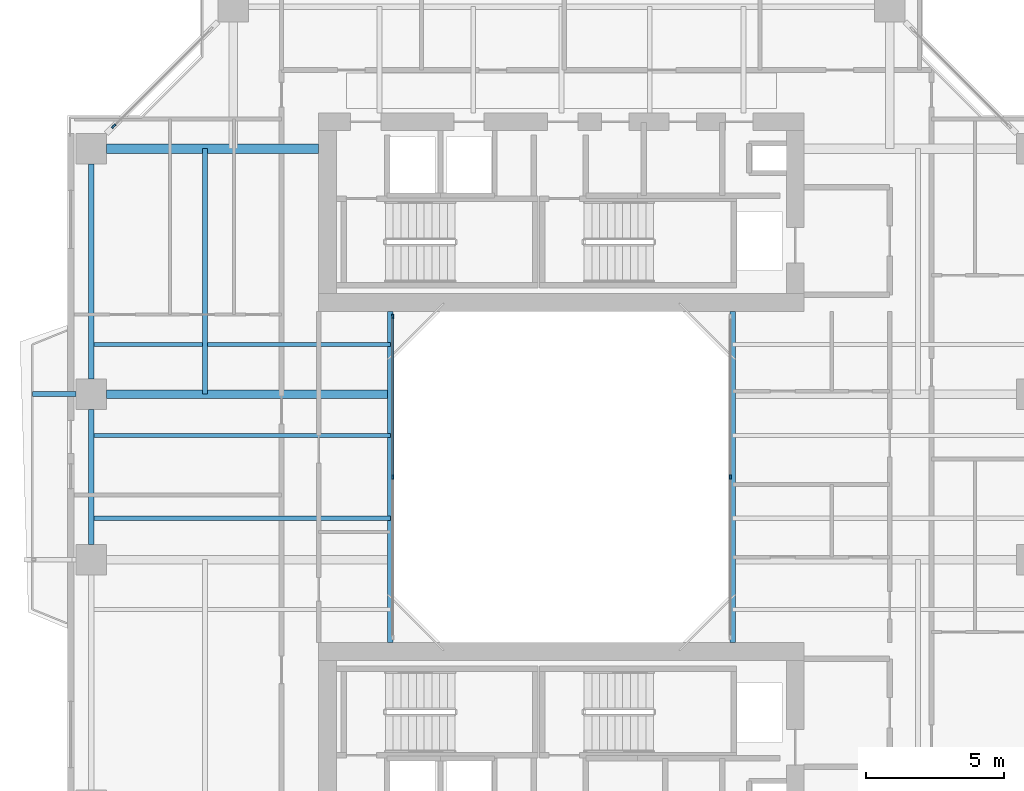
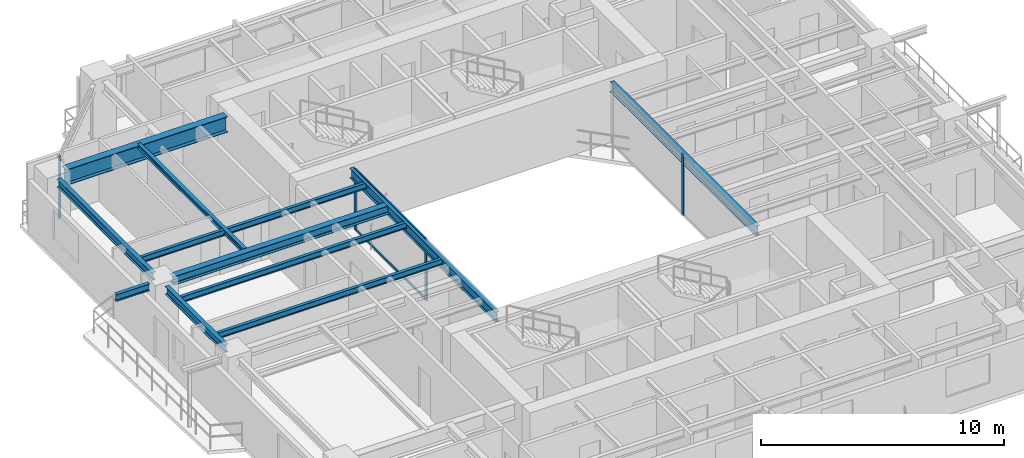
# One storey, part 5 of 17: 11 beams, 6 members, 3 elements without a shape of their own.
"""IFC4 building model written with IfcOpenShell, lengths in metres."""

from ifc_helpers import new_model, si_unit, direction, frame, origin, origin_2d, place, context, subcontext, project, spatial, rectangle, i_section, extrude, source, transform, mapped, material, layer, layer_set, material_profile, profile_set, type_object, element, aggregate, save


model = new_model("IFC4")

# Units and contexts
model_context = context("Model", 3, precision=1e-05, world=origin(), true_north=direction((0.0, 1.0)))
body_context = subcontext(model_context, "Body", "Model", "MODEL_VIEW")
ifc_project = project(units=[si_unit("LENGTHUNIT", "METRE"), si_unit("AREAUNIT", "SQUARE_METRE"), si_unit("VOLUMEUNIT", "CUBIC_METRE"), si_unit("PLANEANGLEUNIT", "RADIAN"), si_unit("MASSUNIT", "GRAM", prefix="KILO"), si_unit("THERMODYNAMICTEMPERATUREUNIT", "KELVIN"), si_unit("POWERUNIT", "WATT")], contexts=[model_context])

# Site, building, storey
site_placement = place(None, origin())
site = spatial("IfcSite", under=ifc_project, at=site_placement, CompositionType="ELEMENT")
building_placement = place(site_placement, origin())
building = spatial("IfcBuilding", under=site, at=building_placement, Name="Qiaomeng Ring Towers", CompositionType="ELEMENT")
storey_placement = place(building_placement, frame((0.0, 0.0, 119.75)))
storey = spatial("IfcBuildingStorey", under=building, at=storey_placement, Name="L34", CompositionType="ELEMENT", Elevation=119.75)

# Beams
ifc_material_1 = material(Name="Steel Q355B", Category="steel")
ifc_material_profile_1 = material_profile(ifc_material_1, i_section(OverallWidth=0.199951171875, OverallDepth=0.5, WebThickness=0.010009765625, FlangeThickness=0.01611328125, FilletRadius=0.02001953125, at=origin_2d()), Name="HN 500x200x10x16")
ifc_profile_set_1 = profile_set([ifc_material_profile_1], Name="Steel Q355B")
beam_type_1 = type_object("IfcBeamType", Name="STR-BM-HN500", PredefinedType="BEAM", material=ifc_profile_set_1)
shared_shape_1 = source(origin(), body_context, "Body", "SweptSolid", [
    extrude(i_section(OverallWidth=0.199951171875, OverallDepth=0.5, WebThickness=0.010009765625, FlangeThickness=0.01611328125, FilletRadius=0.02001953125, at=origin_2d()), origin(), (0.0, 0.0, 1.0), 12.0),
])
for number, where, z_axis, x_axis, name in (
    (1, (12.800048828125, 17.0, 2.820068359375), (0.0, 1.0, 0.0), (-1.0, 0.0, 0.0), "L34 beam STR-BM-L34-WELL-W"),
    (2, (25.199951171875, 17.0, 2.820068359375), (0.0, 1.0, 0.0), (-1.0, 0.0, 0.0), "L34 beam STR-BM-L34-WELL-E"),
):
    element("IfcBeam", number, at=place(storey_placement, frame(where, z_axis=z_axis, x_axis=x_axis)), inside=storey, type_object=beam_type_1, Name=name, PredefinedType="BEAM", context=body_context, shape_type="MappedRepresentation", body=[
        mapped(shared_shape_1, transform((0.0, 0.0, 0.0), x_axis=(1.0, 0.0, 0.0), y_axis=(0.0, 1.0, 0.0), z_axis=(0.0, 0.0, 1.0), scale=1.0)),
    ])
ifc_material_profile_2 = material_profile(ifc_material_1, i_section(OverallWidth=0.199951171875, OverallDepth=0.39990234375, WebThickness=0.008056640625, FlangeThickness=0.012939453125, FilletRadius=0.01611328125, at=origin_2d()), Name="HN 400x200x8x13")
ifc_profile_set_2 = profile_set([ifc_material_profile_2], Name="Steel Q355B")
beam_type_2 = type_object("IfcBeamType", Name="STR-BM-HN400", PredefinedType="SPANDREL", material=ifc_profile_set_2)
shared_shape_2 = source(origin(), body_context, "Body", "SweptSolid", [
    extrude(i_section(OverallWidth=0.199951171875, OverallDepth=0.39990234375, WebThickness=0.008056640625, FlangeThickness=0.012939453125, FilletRadius=0.01611328125, at=origin_2d()), origin(), (0.0, 0.0, 1.0), 7.802001953125),
])
beam_1_placement = place(storey_placement, frame((1.949951171875, 34.35107421875, 2.8701171875), z_axis=(0.0, -1.0, 0.0), x_axis=(1.0, 0.0, 0.0)))
element("IfcBeam", 3, at=beam_1_placement, inside=storey, type_object=beam_type_2, Name="L34 beam STR-SP-L34-T1-W4-W3", PredefinedType="SPANDREL", context=body_context, shape_type="MappedRepresentation", body=[
    mapped(shared_shape_2, transform((0.0, 0.0, 0.0), x_axis=(1.0, 0.0, 0.0), y_axis=(0.0, 1.0, 0.0), z_axis=(0.0, 0.0, 1.0), scale=1.0)),
])
shared_shape_3 = source(origin(), body_context, "Body", "SweptSolid", [
    extrude(i_section(OverallWidth=0.199951171875, OverallDepth=0.39990234375, WebThickness=0.008056640625, FlangeThickness=0.012939453125, FilletRadius=0.01611328125, at=origin_2d()), origin(), (0.0, 0.0, 1.0), 4.90185546875),
])
beam_2_placement = place(storey_placement, frame((1.949951171875, 25.450927734375, 2.8701171875), z_axis=(0.0, -1.0, 0.0), x_axis=(1.0, 0.0, 0.0)))
element("IfcBeam", 4, at=beam_2_placement, inside=storey, type_object=beam_type_2, Name="L34 beam STR-SP-L34-T1-W3-W2", PredefinedType="SPANDREL", context=body_context, shape_type="MappedRepresentation", body=[
    mapped(shared_shape_3, transform((0.0, 0.0, 0.0), x_axis=(1.0, 0.0, 0.0), y_axis=(0.0, 1.0, 0.0), z_axis=(0.0, 0.0, 1.0), scale=1.0)),
])
ifc_material_2 = material(Name="Steel Q390GJC", Category="steel")
ifc_material_profile_3 = material_profile(ifc_material_2, i_section(OverallWidth=0.35009765625, OverallDepth=0.800048828125, WebThickness=0.01611328125, FlangeThickness=0.028076171875, at=origin_2d()), Name="WH 800x350x16x28")
ifc_profile_set_3 = profile_set([ifc_material_profile_3], Name="Steel Q390GJC")
beam_type_3 = type_object("IfcBeamType", Name="STR-BM-WH800", PredefinedType="BEAM", material=ifc_profile_set_3)
shared_shape_4 = source(origin(), body_context, "Body", "SweptSolid", [
    extrude(i_section(OverallWidth=0.35009765625, OverallDepth=0.800048828125, WebThickness=0.01611328125, FlangeThickness=0.028076171875, at=origin_2d()), origin(), (0.0, 0.0, 1.0), 7.700927734375),
])
beam_3_placement = place(storey_placement, frame((2.4990234375, 34.89990234375, 2.669921875), z_axis=(1.0, 0.0, 0.0), x_axis=(0.0, 1.0, 0.0)))
element("IfcBeam", 5, at=beam_3_placement, inside=storey, type_object=beam_type_3, Name="L34 beam STR-BM-L34-T1-RAD-W4", PredefinedType="BEAM", context=body_context, shape_type="MappedRepresentation", body=[
    mapped(shared_shape_4, transform((0.0, 0.0, 0.0), x_axis=(1.0, 0.0, 0.0), y_axis=(0.0, 1.0, 0.0), z_axis=(0.0, 0.0, 1.0), scale=1.0)),
])
ifc_material_profile_4 = material_profile(ifc_material_1, i_section(OverallWidth=0.300048828125, OverallDepth=0.43994140625, WebThickness=0.010986328125, FlangeThickness=0.01806640625, FilletRadius=0.02392578125, at=origin_2d()), Name="HM 440x300x11x18")
ifc_profile_set_4 = profile_set([ifc_material_profile_4], Name="Steel Q355B")
beam_type_4 = type_object("IfcBeamType", Name="STR-BM-HM440", PredefinedType="BEAM", material=ifc_profile_set_4)
shared_shape_5 = source(origin(), body_context, "Body", "SweptSolid", [
    extrude(i_section(OverallWidth=0.300048828125, OverallDepth=0.43994140625, WebThickness=0.010986328125, FlangeThickness=0.01806640625, FilletRadius=0.02392578125, at=origin_2d()), origin(), (0.0, 0.0, 1.0), 10.301025390625),
])
beam_4_placement = place(storey_placement, frame((2.4990234375, 26.0, 2.85009765625), z_axis=(1.0, 0.0, 0.0), x_axis=(0.0, 1.0, 0.0)))
element("IfcBeam", 6, at=beam_4_placement, inside=storey, type_object=beam_type_4, Name="L34 beam STR-BM-L34-T1-RAD-W3", PredefinedType="BEAM", context=body_context, shape_type="MappedRepresentation", body=[
    mapped(shared_shape_5, transform((0.0, 0.0, 0.0), x_axis=(1.0, 0.0, 0.0), y_axis=(0.0, 1.0, 0.0), z_axis=(0.0, 0.0, 1.0), scale=1.0)),
])
ifc_material_profile_5 = material_profile(ifc_material_1, i_section(OverallWidth=0.175048828125, OverallDepth=0.35009765625, WebThickness=0.007080078125, FlangeThickness=0.010986328125, FilletRadius=0.013916015625, at=origin_2d()), Name="HN 350x175x7x11")
ifc_profile_set_5 = profile_set([ifc_material_profile_5], Name="Steel Q355B")
beam_type_5 = type_object("IfcBeamType", Name="STR-BM-HN350", PredefinedType="JOIST", material=ifc_profile_set_5)
shared_shape_6 = source(origin(), body_context, "Body", "SweptSolid", [
    extrude(i_section(OverallWidth=0.175048828125, OverallDepth=0.35009765625, WebThickness=0.007080078125, FlangeThickness=0.010986328125, FilletRadius=0.013916015625, at=origin_2d()), origin(), (0.0, 0.0, 1.0), 1.580810546875),
])
beam_5_placement = place(storey_placement, frame((-0.179931640625, 26.0, 2.89501953125), z_axis=(1.0, 0.0, 0.0), x_axis=(0.0, 1.0, 0.0)))
element("IfcBeam", 7, at=beam_5_placement, inside=storey, type_object=beam_type_5, Name="L34 beam STR-BALBM-L34-W3", PredefinedType="JOIST", context=body_context, shape_type="MappedRepresentation", body=[
    mapped(shared_shape_6, transform((0.0, 0.0, 0.0), x_axis=(1.0, 0.0, 0.0), y_axis=(0.0, 1.0, 0.0), z_axis=(0.0, 0.0, 1.0), scale=1.0)),
])
ifc_material_profile_6 = material_profile(ifc_material_1, i_section(OverallWidth=0.14990234375, OverallDepth=0.300048828125, WebThickness=0.006591796875, FlangeThickness=0.009033203125, FilletRadius=0.012939453125, at=origin_2d()), Name="HN 300x150x6.5x9")
ifc_profile_set_6 = profile_set([ifc_material_profile_6], Name="Steel Q355B")
beam_type_6 = type_object("IfcBeamType", Name="STR-BM-HN300", PredefinedType="JOIST", material=ifc_profile_set_6)
shared_shape_7 = source(origin(), body_context, "Body", "SweptSolid", [
    extrude(i_section(OverallWidth=0.14990234375, OverallDepth=0.300048828125, WebThickness=0.006591796875, FlangeThickness=0.009033203125, FilletRadius=0.012939453125, at=origin_2d()), origin(), (0.0, 0.0, 1.0), 10.85009765625),
])
for number, where, z_axis, x_axis, name in (
    (8, (1.949951171875, 21.5, 2.919921875), (1.0, 0.0, 0.0), (0.0, 1.0, 0.0), "L34 beam STR-JST-L34-T1W-2"),
    (9, (1.949951171875, 24.5, 2.919921875), (1.0, 0.0, 0.0), (0.0, 1.0, 0.0), "L34 beam STR-JST-L34-T1W-3"),
    (10, (1.949951171875, 27.800048828125, 2.919921875), (1.0, 0.0, 0.0), (0.0, 1.0, 0.0), "L34 beam STR-JST-L34-T1W-4"),
):
    element("IfcBeam", number, at=place(storey_placement, frame(where, z_axis=z_axis, x_axis=x_axis)), inside=storey, type_object=beam_type_6, Name=name, PredefinedType="JOIST", context=body_context, shape_type="MappedRepresentation", body=[
        mapped(shared_shape_7, transform((0.0, 0.0, 0.0), x_axis=(1.0, 0.0, 0.0), y_axis=(0.0, 1.0, 0.0), z_axis=(0.0, 0.0, 1.0), scale=1.0)),
    ])
ifc_material_profile_7 = material_profile(ifc_material_1, i_section(OverallWidth=0.175048828125, OverallDepth=0.243896484375, WebThickness=0.007080078125, FlangeThickness=0.010986328125, FilletRadius=0.01611328125, at=origin_2d()), Name="HM 244x175x7x11")
ifc_profile_set_7 = profile_set([ifc_material_profile_7], Name="Steel Q355B")
beam_type_7 = type_object("IfcBeamType", Name="STR-BM-HM244", PredefinedType="JOIST", material=ifc_profile_set_7)
shared_shape_8 = source(origin(), body_context, "Body", "SweptSolid", [
    extrude(i_section(OverallWidth=0.175048828125, OverallDepth=0.243896484375, WebThickness=0.007080078125, FlangeThickness=0.010986328125, FilletRadius=0.01611328125, at=origin_2d()), origin(), (0.0, 0.0, 1.0), 8.89990234375),
])
beam_6_placement = place(storey_placement, frame((6.074951171875, 26.0, 2.947998046875), z_axis=(0.0, 1.0, 0.0), x_axis=(-1.0, 0.0, 0.0)))
element("IfcBeam", 11, at=beam_6_placement, inside=storey, type_object=beam_type_7, Name="L34 beam STR-JST-L34-T1C-WN", PredefinedType="JOIST", context=body_context, shape_type="MappedRepresentation", body=[
    mapped(shared_shape_8, transform((0.0, 0.0, 0.0), x_axis=(1.0, 0.0, 0.0), y_axis=(0.0, 1.0, 0.0), z_axis=(0.0, 0.0, 1.0), scale=1.0)),
])

# Curtain wall, members
ifc_material_3 = material(Name="Fluorocarbon dark-grey aluminium", Category="aluminium")
ifc_layer_1 = layer(ifc_material_3, 0.139892578125, Name="Fluorocarbon dark-grey aluminium")
ifc_layer_set_1 = layer_set([ifc_layer_1], Name="Fluorocarbon dark-grey aluminium")
curtain_wall_type_1 = type_object("IfcCurtainWallType", Name="ARC-CW-4", PredefinedType="NOTDEFINED", material=ifc_layer_set_1)
curtain_wall_1_placement = place(storey_placement, origin())
curtain_wall_1 = element("IfcCurtainWall", 12, at=curtain_wall_1_placement, inside=storey, type_object=curtain_wall_type_1, Name="L34 Curtain Wall CW4", PredefinedType="NOTDEFINED")
ifc_material_profile_8 = material_profile(ifc_material_3, rectangle(XDim=0.06494140625, YDim=0.159912109375, at=origin_2d()), Name="ALU MULL 65x160")
ifc_profile_set_8 = profile_set([ifc_material_profile_8], Name="Fluorocarbon dark-grey aluminium")
member_type_1 = type_object("IfcMemberType", Name="ARC-CWM-140", PredefinedType="MULLION", material=ifc_profile_set_8)
shared_shape_9 = source(origin(), body_context, "Body", "SweptSolid", [
    extrude(rectangle(XDim=0.06494140625, YDim=0.159912109375, at=origin_2d()), origin(), (0.0, 0.0, 1.0), 3.070068359375),
])
member_1_placement = place(storey_placement, frame((12.8798828125, 23.0, 0.0), z_axis=(0.0, 0.0, 1.0), x_axis=(-1.0, 0.0, 0.0)))
member_1 = element("IfcMember", 13, at=member_1_placement, type_object=member_type_1, Name="CW4 mullion 2", PredefinedType="MULLION", context=body_context, shape_type="MappedRepresentation", body=[
    mapped(shared_shape_9, transform((0.0, 0.0, 0.0), x_axis=(1.0, 0.0, 0.0), y_axis=(0.0, 1.0, 0.0), z_axis=(0.0, 0.0, 1.0), scale=1.0)),
])
member_2_placement = place(storey_placement, frame((12.8798828125, 28.8173828125, 0.0), z_axis=(0.0, 0.0, 1.0), x_axis=(-1.0, 0.0, 0.0)))
member_2 = element("IfcMember", 14, at=member_2_placement, type_object=member_type_1, Name="CW4 mullion 3", PredefinedType="MULLION", context=body_context, shape_type="MappedRepresentation", body=[
    mapped(shared_shape_9, transform((0.0, 0.0, 0.0), x_axis=(1.0, 0.0, 0.0), y_axis=(0.0, 1.0, 0.0), z_axis=(0.0, 0.0, 1.0), scale=1.0)),
])

# Curtain wall, member
curtain_wall_2_placement = place(storey_placement, origin())
curtain_wall_2 = element("IfcCurtainWall", 15, at=curtain_wall_2_placement, inside=storey, type_object=curtain_wall_type_1, Name="L34 Curtain Wall CW4", PredefinedType="NOTDEFINED")
member_3_placement = place(storey_placement, frame((25.1201171875, 23.0, 0.0), z_axis=(0.0, 0.0, 1.0), x_axis=(-1.0, 0.0, 0.0)))
member_3 = element("IfcMember", 16, at=member_3_placement, type_object=member_type_1, Name="CW4 mullion 2", PredefinedType="MULLION", context=body_context, shape_type="MappedRepresentation", body=[
    mapped(shared_shape_9, transform((0.0, 0.0, 0.0), x_axis=(1.0, 0.0, 0.0), y_axis=(0.0, 1.0, 0.0), z_axis=(0.0, 0.0, 1.0), scale=1.0)),
])
aggregate(curtain_wall_2, [member_3])

# Member
ifc_material_profile_9 = material_profile(ifc_material_3, rectangle(XDim=0.06494140625, YDim=0.1298828125, at=origin_2d()), Name="ALU TRAN 65x130")
ifc_profile_set_9 = profile_set([ifc_material_profile_9], Name="Fluorocarbon dark-grey aluminium")
member_type_2 = type_object("IfcMemberType", Name="ARC-CWT-120", PredefinedType="USERDEFINED", material=ifc_profile_set_9)
shared_shape_10 = source(origin(), body_context, "Body", "SweptSolid", [
    extrude(rectangle(XDim=0.06494140625, YDim=0.1298828125, at=origin_2d()), origin(), (0.0, 0.0, 1.0), 5.75244140625),
])
member_4_placement = place(storey_placement, frame((12.8798828125, 23.032470703125, 0.032470703125), z_axis=(0.0, 1.0, 0.0), x_axis=(-1.0, 0.0, 0.0)))
member_4 = element("IfcMember", 17, at=member_4_placement, type_object=member_type_2, Name="CW4 transom 2.1", ObjectType="TRANSOM", PredefinedType="USERDEFINED", context=body_context, shape_type="MappedRepresentation", body=[
    mapped(shared_shape_10, transform((0.0, 0.0, 0.0), x_axis=(1.0, 0.0, 0.0), y_axis=(0.0, 1.0, 0.0), z_axis=(0.0, 0.0, 1.0), scale=1.0)),
])

member_5_placement = place(storey_placement, frame((12.8798828125, 23.032470703125, 3.03759765625), z_axis=(0.0, 1.0, 0.0), x_axis=(-1.0, 0.0, 0.0)))
member_5 = element("IfcMember", 18, at=member_5_placement, type_object=member_type_2, Name="CW4 transom 2.2", ObjectType="TRANSOM", PredefinedType="USERDEFINED", context=body_context, shape_type="MappedRepresentation", body=[
    mapped(shared_shape_10, transform((0.0, 0.0, 0.0), x_axis=(1.0, 0.0, 0.0), y_axis=(0.0, 1.0, 0.0), z_axis=(0.0, 0.0, 1.0), scale=1.0)),
])

aggregate(curtain_wall_1, [member_1, member_2, member_4, member_5])

# Curtain wall, member
ifc_layer_2 = layer(ifc_material_3, 0.14990234375, Name="Fluorocarbon dark-grey aluminium")
ifc_layer_set_2 = layer_set([ifc_layer_2], Name="Fluorocarbon dark-grey aluminium")
curtain_wall_type_2 = type_object("IfcCurtainWallType", Name="ARC-CW-3", PredefinedType="NOTDEFINED", material=ifc_layer_set_2)
curtain_wall_3_placement = place(storey_placement, origin())
curtain_wall_3 = element("IfcCurtainWall", 19, at=curtain_wall_3_placement, inside=storey, type_object=curtain_wall_type_2, Name="L34 Curtain Wall CW3", PredefinedType="NOTDEFINED")
ifc_material_profile_10 = material_profile(ifc_material_3, rectangle(XDim=0.070068359375, YDim=0.179931640625, at=origin_2d()), Name="ALU MULL 70x180")
ifc_profile_set_10 = profile_set([ifc_material_profile_10], Name="Fluorocarbon dark-grey aluminium")
member_type_3 = type_object("IfcMemberType", Name="ARC-CWM-160", PredefinedType="MULLION", material=ifc_profile_set_10)
shared_shape_11 = source(origin(), body_context, "Body", "SweptSolid", [
    extrude(rectangle(XDim=0.070068359375, YDim=0.179931640625, at=origin_2d()), origin(), (0.0, 0.0, 1.0), 3.070068359375),
])
member_6_placement = place(storey_placement, frame((2.7646484375, 35.71484375, 0.0), z_axis=(0.0, 0.0, 1.0), x_axis=(0.707106781187, -0.707106781187, 0.0)))
member_6 = element("IfcMember", 20, at=member_6_placement, type_object=member_type_3, Name="CW3 mullion 2", PredefinedType="MULLION", context=body_context, shape_type="MappedRepresentation", body=[
    mapped(shared_shape_11, transform((0.0, 0.0, 0.0), x_axis=(1.0, 0.0, 0.0), y_axis=(0.0, 1.0, 0.0), z_axis=(0.0, 0.0, 1.0), scale=1.0)),
])
aggregate(curtain_wall_3, [member_6])

save(model, "model.ifc")
